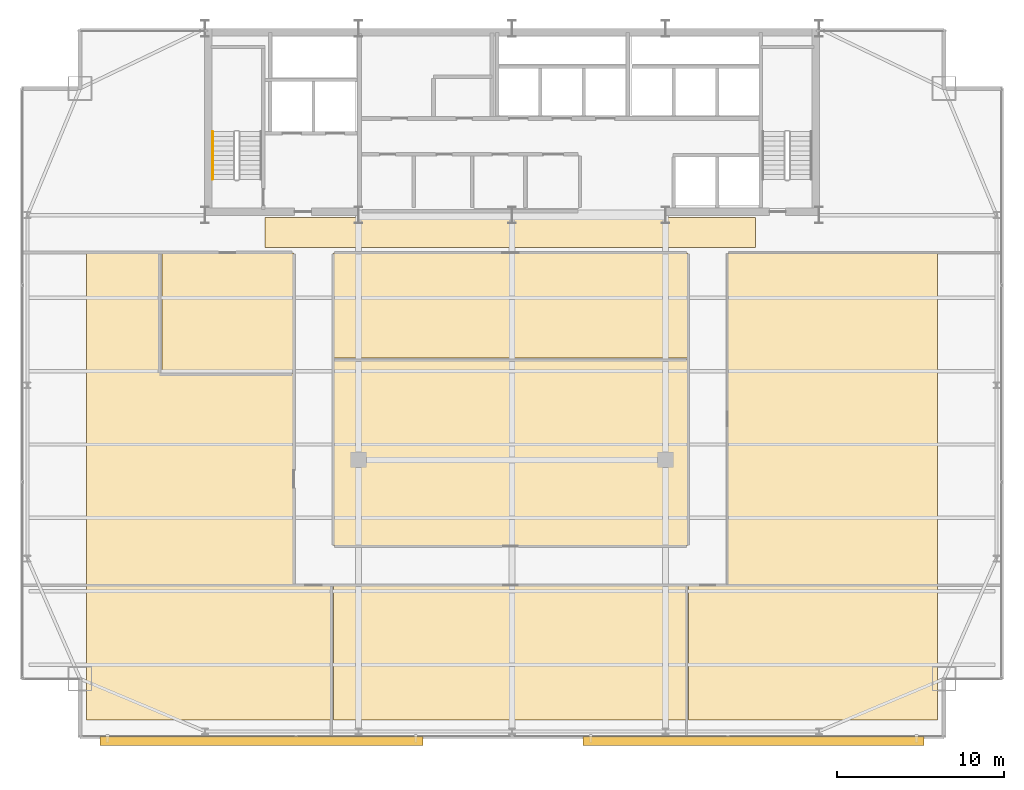
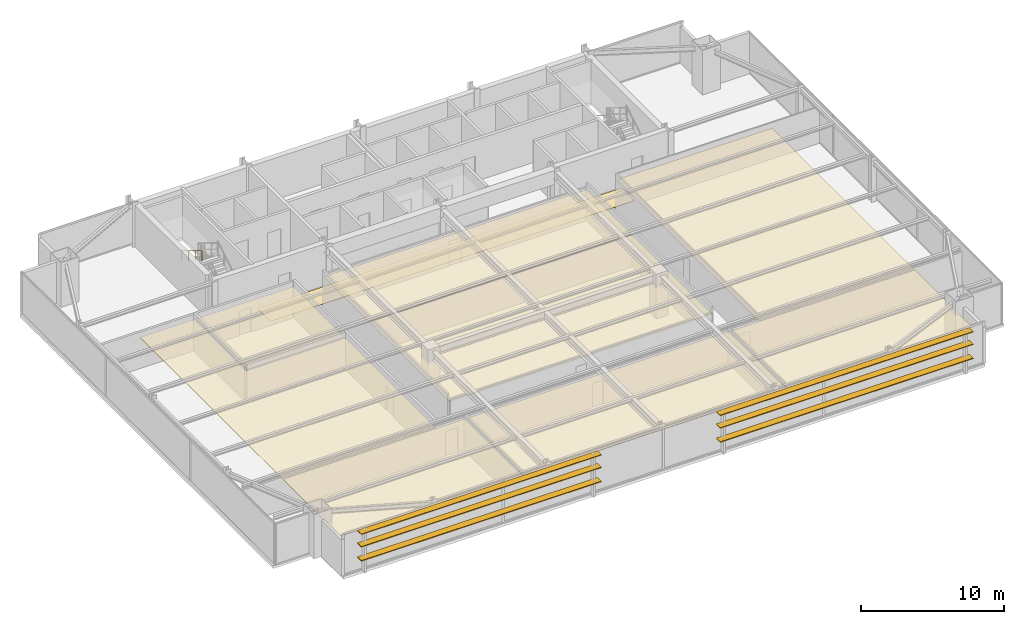
# One storey, part 29 of 30: 9 coverings, 6 shading devices, 1 railing.
"""IFC4 building model written with IfcOpenShell, lengths in metres."""

from ifc_helpers import new_model, si_unit, direction, frame, origin, origin_2d, place, context, subcontext, project, spatial, polyline, rectangle, outline, extrude, source, transform, mapped, material, layer, layer_set, type_object, type_shapes, element, save


model = new_model("IFC4")

# Units and contexts
model_context = context("Model", 3, precision=1e-05, world=origin(), true_north=direction((0.0, 1.0)))
body_context = subcontext(model_context, "Body", "Model", "MODEL_VIEW")
ifc_project = project(units=[si_unit("LENGTHUNIT", "METRE"), si_unit("AREAUNIT", "SQUARE_METRE"), si_unit("VOLUMEUNIT", "CUBIC_METRE"), si_unit("PLANEANGLEUNIT", "RADIAN"), si_unit("MASSUNIT", "GRAM", prefix="KILO")], contexts=[model_context])

# Site, building, storey
site_placement = place(None, origin())
site = spatial("IfcSite", under=ifc_project, at=site_placement, CompositionType="ELEMENT")
building_placement = place(site_placement, origin())
building = spatial("IfcBuilding", under=site, at=building_placement, Name="Varnel Quay Broadcast Tower", CompositionType="ELEMENT")
storey_placement = place(building_placement, frame((0.0, 0.0, 122.0)))
storey = spatial("IfcBuildingStorey", under=building, at=storey_placement, Name="L29", CompositionType="ELEMENT", Elevation=122.0)

# Coverings
ifc_material_1 = material(Name="Micro-Perforated Acoustic Ceiling Tile")
ifc_layer_1 = layer(ifc_material_1, 0.0400390625, Name="Micro-Perforated Acoustic Ceiling Tile")
ifc_layer_set_1 = layer_set([ifc_layer_1], Name="Micro-Perforated Acoustic Ceiling Tile")
covering_type_1 = type_object("IfcCoveringType", Name="Cov_AcousticCeiling", PredefinedType="CEILING", material=ifc_layer_set_1)
covering_1_placement = place(storey_placement, frame((0.0, 0.0, 2.580078125)))
element("IfcCovering", 1, at=covering_1_placement, inside=storey, type_object=covering_type_1, Name="L29 Press Green Lounge 1 Acoustic Ceiling", PredefinedType="CEILING", context=body_context, shape_type="SweptSolid", body=[
    extrude(outline(polyline([(8.485107421875, 5.324951171875), (23.235107421875, 5.324951171875), (23.235107421875, 13.364990234375), (8.485107421875, 13.364990234375), (8.485107421875, 5.324951171875)])), origin(), (0.0, 0.0, 1.0), 0.0400390625),
])
covering_2_placement = place(storey_placement, frame((0.0, 0.0, 2.580078125)))
element("IfcCovering", 2, at=covering_2_placement, inside=storey, type_object=covering_type_1, Name="L29 Camera Locker Store 2 Acoustic Ceiling", PredefinedType="CEILING", context=body_context, shape_type="SweptSolid", body=[
    extrude(outline(polyline([(23.304931640625, 5.324951171875), (44.52490234375, 5.324951171875), (44.52490234375, 13.364990234375), (23.304931640625, 13.364990234375), (23.304931640625, 5.324951171875)])), origin(), (0.0, 0.0, 1.0), 0.0400390625),
])
covering_3_placement = place(storey_placement, frame((0.0, 0.0, 2.580078125)))
element("IfcCovering", 3, at=covering_3_placement, inside=storey, type_object=covering_type_1, Name="L29 Broadcast Newsroom 3 Acoustic Ceiling", PredefinedType="CEILING", context=body_context, shape_type="SweptSolid", body=[
    extrude(outline(polyline([(44.594970703125, 5.324951171875), (59.514892578125, 5.324951171875), (59.514892578125, 13.364990234375), (44.594970703125, 13.364990234375), (44.594970703125, 5.324951171875)])), origin(), (0.0, 0.0, 1.0), 0.0400390625),
])
covering_4_placement = place(storey_placement, frame((0.0, 0.0, 2.580078125)))
element("IfcCovering", 4, at=covering_4_placement, inside=storey, type_object=covering_type_1, Name="L29 Editorial Boardroom 4 Acoustic Ceiling", PredefinedType="CEILING", context=body_context, shape_type="SweptSolid", body=[
    extrude(outline(polyline([(8.485107421875, 13.43505859375), (20.885009765625, 13.43505859375), (20.885009765625, 26.10498046875), (12.93505859375, 26.10498046875), (12.93505859375, 33.31494140625), (8.485107421875, 33.31494140625), (8.485107421875, 13.43505859375)])), origin(), (0.0, 0.0, 1.0), 0.0400390625),
])
covering_5_placement = place(storey_placement, frame((0.0, 0.0, 2.580078125)))
element("IfcCovering", 5, at=covering_5_placement, inside=storey, type_object=covering_type_1, Name="L29 Broadcast Newsroom 5 Acoustic Ceiling", PredefinedType="CEILING", context=body_context, shape_type="SweptSolid", body=[
    extrude(outline(polyline([(13.0048828125, 26.175048828125), (20.885009765625, 26.175048828125), (20.885009765625, 33.31494140625), (13.0048828125, 33.31494140625), (13.0048828125, 26.175048828125)])), origin(), (0.0, 0.0, 1.0), 0.0400390625),
])
covering_6_placement = place(storey_placement, frame((0.0, 0.0, 2.580078125)))
element("IfcCovering", 6, at=covering_6_placement, inside=storey, type_object=covering_type_1, Name="L29 Break Kitchen 6 Acoustic Ceiling", PredefinedType="CEILING", context=body_context, shape_type="SweptSolid", body=[
    extrude(outline(polyline([(23.304931640625, 15.784912109375), (44.52490234375, 15.784912109375), (44.52490234375, 26.955078125), (23.304931640625, 26.955078125), (23.304931640625, 15.784912109375)])), origin(), (0.0, 0.0, 1.0), 0.0400390625),
])
covering_7_placement = place(storey_placement, frame((0.0, 0.0, 2.580078125)))
element("IfcCovering", 7, at=covering_7_placement, inside=storey, type_object=covering_type_1, Name="L29 Press Green Lounge 7 Acoustic Ceiling", PredefinedType="CEILING", context=body_context, shape_type="SweptSolid", body=[
    extrude(outline(polyline([(23.304931640625, 27.02490234375), (44.52490234375, 27.02490234375), (44.52490234375, 33.31494140625), (23.304931640625, 33.31494140625), (23.304931640625, 27.02490234375)])), origin(), (0.0, 0.0, 1.0), 0.0400390625),
])
covering_8_placement = place(storey_placement, frame((0.0, 0.0, 2.580078125)))
element("IfcCovering", 8, at=covering_8_placement, inside=storey, type_object=covering_type_1, Name="L29 Camera Locker Store 8 Acoustic Ceiling", PredefinedType="CEILING", context=body_context, shape_type="SweptSolid", body=[
    extrude(outline(polyline([(46.945068359375, 13.43505859375), (59.514892578125, 13.43505859375), (59.514892578125, 33.31494140625), (46.945068359375, 33.31494140625), (46.945068359375, 13.43505859375)])), origin(), (0.0, 0.0, 1.0), 0.0400390625),
])
ifc_material_2 = material(Name="Polished Terrazzo & Broadcast Raised Flooring")
ifc_layer_2 = layer(ifc_material_2, 0.0400390625, Name="Polished Terrazzo & Broadcast Raised Flooring")
ifc_layer_set_2 = layer_set([ifc_layer_2], Name="Polished Terrazzo & Broadcast Raised Flooring")
covering_type_2 = type_object("IfcCoveringType", Name="Cov_TerrazzoFloor", PredefinedType="FLOORING", material=ifc_layer_set_2)
covering_9_placement = place(storey_placement, origin())
element("IfcCovering", 9, at=covering_9_placement, inside=storey, type_object=covering_type_2, Name="L29 Corridor Terrazzo Flooring", PredefinedType="FLOORING", context=body_context, shape_type="SweptSolid", body=[
    extrude(outline(polyline([(19.199951171875, 33.64990234375), (48.60009765625, 33.64990234375), (48.60009765625, 35.449951171875), (19.199951171875, 35.449951171875), (19.199951171875, 33.64990234375)])), origin(), (0.0, 0.0, 1.0), 0.0400390625),
])

# Railing
ifc_material_3 = material(Name="Painted Steel Guard and Handrail CSA G40.21 350W", Category="steel")
railing_type = type_object("IfcRailingType", Name="Rail_StairHandrail900", PredefinedType="HANDRAIL", material=ifc_material_3)
railing_placement = place(storey_placement, frame((16.050048828125, 40.60009765625, 2.07275390625)))
element("IfcRailing", 10, at=railing_placement, inside=storey, type_object=railing_type, Name="L29 ST-01 stair handrail 2", PredefinedType="HANDRAIL", context=body_context, shape_type="SweptSolid", body=[
    extrude(rectangle(XDim=0.048095703125, YDim=0.048095703125, at=origin_2d()), frame((0.0, 0.0, 0.8759765625), z_axis=(0.0, -0.855202751398, 0.518293598264), x_axis=(1.0, 0.0, 0.0)), (0.0, 0.0, 1.0), 3.332763671875),
    extrude(rectangle(XDim=0.0419921875, YDim=0.0419921875, at=origin_2d()), origin(), (0.0, 0.0, 1.0), 0.851806640625),
    extrude(rectangle(XDim=0.0419921875, YDim=0.0419921875, at=origin_2d()), frame((0.0, -0.949951171875, 0.57568359375)), (0.0, 0.0, 1.0), 0.851806640625),
    extrude(rectangle(XDim=0.0419921875, YDim=0.0419921875, at=origin_2d()), frame((0.0, -1.900146484375, 1.151611328125)), (0.0, 0.0, 1.0), 0.851806640625),
    extrude(rectangle(XDim=0.0419921875, YDim=0.0419921875, at=origin_2d()), frame((0.0, -2.85009765625, 1.727294921875)), (0.0, 0.0, 1.0), 0.851806640625),
])

# Shading devices
ifc_material_4 = material(Name="Bronze-Terracotta Extruded Ceramic Blade", Category="masonry")
ifc_layer_3 = layer(ifc_material_4, 0.06494140625, Name="Bronze-Terracotta Extruded Ceramic Blade")
ifc_layer_set_3 = layer_set([ifc_layer_3], Name="Bronze-Terracotta Extruded Ceramic Blade")
shading_device_type = type_object("IfcShadingDeviceType", Name="Shade_LouvreBlade550", PredefinedType="JALOUSIE", material=ifc_layer_set_3)
shared_shape_1 = source(origin(), body_context, "Body", "SweptSolid", [
    extrude(rectangle(XDim=20.428955078125, YDim=0.550048828125, at=origin_2d()), origin(), (0.0, 0.0, 1.0), 0.06494140625),
])
for number, where, z_axis, x_axis, name in (
    (11, (48.486083984375, 4.06005859375, 1.117431640625), (0.0, 0.0, 1.0), (1.0, 0.0, 0.0), "L29 Lobe 2 Horizontal Louvre Blade 1"),
    (12, (48.486083984375, 4.06005859375, 2.317626953125), (0.0, 0.0, 1.0), (1.0, 0.0, 0.0), "L29 Lobe 2 Horizontal Louvre Blade 2"),
    (13, (48.486083984375, 4.06005859375, 3.387451171875), (0.0, 0.0, 1.0), (1.0, 0.0, 0.0), "L29 Lobe 2 Horizontal Louvre Blade 3"),
):
    element("IfcShadingDevice", number, at=place(storey_placement, frame(where, z_axis=z_axis, x_axis=x_axis)), inside=storey, type_object=shading_device_type, Name=name, PredefinedType="JALOUSIE", context=body_context, shape_type="MappedRepresentation", body=[
        mapped(shared_shape_1, transform((0.0, 0.0, 0.0), x_axis=(1.0, 0.0, 0.0), y_axis=(0.0, 1.0, 0.0), z_axis=(0.0, 0.0, 1.0), scale=1.0)),
    ])
shared_shape_2 = source(origin(), body_context, "Body", "SweptSolid", [
    extrude(rectangle(XDim=19.37109375, YDim=0.550048828125, at=origin_2d()), origin(), (0.0, 0.0, 1.0), 0.06494140625),
])
type_shapes(shading_device_type, [shared_shape_1, shared_shape_2])
for number, where, z_axis, x_axis, name in (
    (14, (18.986083984375, 4.06005859375, 1.117431640625), (0.0, 0.0, 1.0), (1.0, 0.0, 0.0), "L29 Lobe 1 Horizontal Louvre Blade 1"),
    (15, (18.986083984375, 4.06005859375, 2.317626953125), (0.0, 0.0, 1.0), (1.0, 0.0, 0.0), "L29 Lobe 1 Horizontal Louvre Blade 2"),
    (16, (18.986083984375, 4.06005859375, 3.387451171875), (0.0, 0.0, 1.0), (1.0, 0.0, 0.0), "L29 Lobe 1 Horizontal Louvre Blade 3"),
):
    element("IfcShadingDevice", number, at=place(storey_placement, frame(where, z_axis=z_axis, x_axis=x_axis)), inside=storey, type_object=shading_device_type, Name=name, PredefinedType="JALOUSIE", context=body_context, shape_type="MappedRepresentation", body=[
        mapped(shared_shape_2, transform((0.0, 0.0, 0.0), x_axis=(1.0, 0.0, 0.0), y_axis=(0.0, 1.0, 0.0), z_axis=(0.0, 0.0, 1.0), scale=1.0)),
    ])

save(model, "model.ifc")
